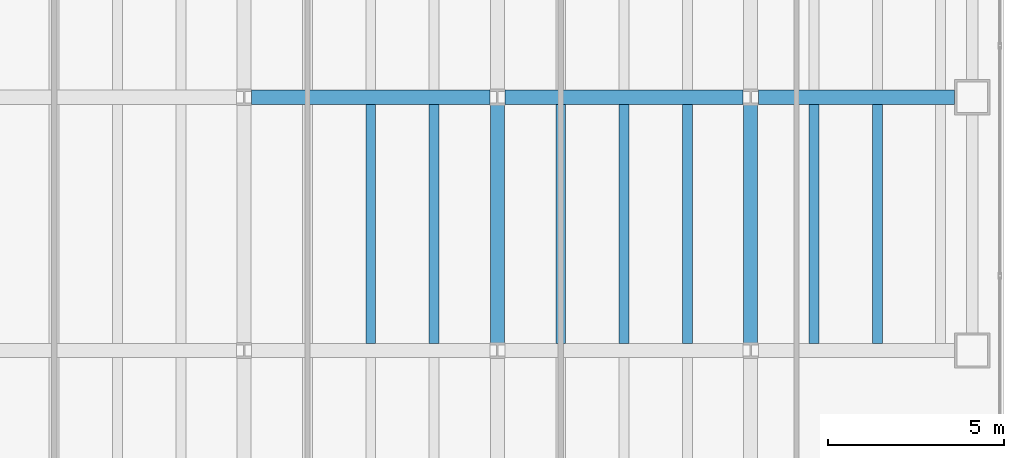
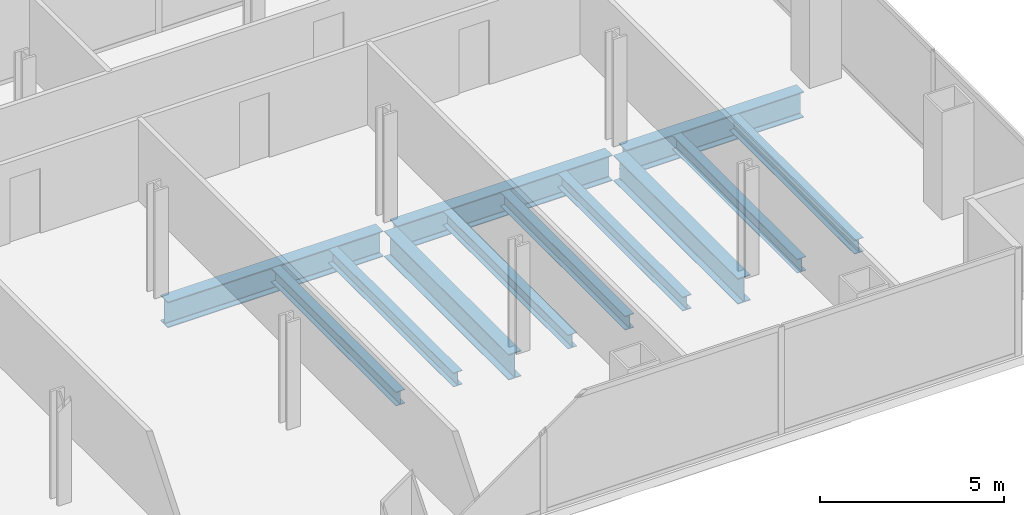
# One storey, part 9 of 23: 12 beams.
"""IFC4 building model written with IfcOpenShell, lengths in metres."""

from ifc_helpers import new_model, si_unit, direction, frame, origin, origin_2d, place, context, subcontext, project, spatial, i_section, extrude, material, material_profile, profile_set, type_object, element, save


model = new_model("IFC4")

# Units and contexts
model_context = context("Model", 3, precision=1e-05, world=origin(), true_north=direction((0.0, 1.0)))
body_context = subcontext(model_context, "Body", "Model", "MODEL_VIEW")
ifc_project = project(units=[si_unit("LENGTHUNIT", "METRE"), si_unit("AREAUNIT", "SQUARE_METRE"), si_unit("VOLUMEUNIT", "CUBIC_METRE"), si_unit("PLANEANGLEUNIT", "RADIAN"), si_unit("MASSUNIT", "GRAM", prefix="KILO")], contexts=[model_context])

# Site, building, storey
site_placement = place(None, origin())
site = spatial("IfcSite", under=ifc_project, at=site_placement, CompositionType="ELEMENT")
building_placement = place(site_placement, origin())
building = spatial("IfcBuilding", under=site, at=building_placement, Name="Cobrela Telecom Tower", CompositionType="ELEMENT")
storey_placement = place(building_placement, frame((0.0, 0.0, 54.25)))
storey = spatial("IfcBuildingStorey", under=building, at=storey_placement, Name="L13", CompositionType="ELEMENT", Elevation=54.25)

# Beams
ifc_material = material(Name="Steel ASTM A992 Grade 50", Category="steel")
ifc_material_profile_1 = material_profile(ifc_material, i_section(OverallWidth=0.39892578125, OverallDepth=0.85595703125, WebThickness=0.018310546875, FlangeThickness=0.029296875, FilletRadius=0.02001953125, at=origin_2d()), Name="W33X201")
ifc_profile_set_1 = profile_set([ifc_material_profile_1], Name="Steel ASTM A992 Grade 50")
beam_type_1 = type_object("IfcBeamType", Name="BM-GIRD-03", PredefinedType="USERDEFINED", material=ifc_profile_set_1)
for number, where, z_axis, x_axis, name in (
    (1, (29.01611328125, 14.39990234375, -0.7080078125), (1.0, 0.0, 0.0), (0.0, 1.0, 0.0), "L13 Primary Girder X15"),
    (2, (36.216064453125, 14.39990234375, -0.7080078125), (1.0, 0.0, 0.0), (0.0, 1.0, 0.0), "L13 Primary Girder X16"),
):
    element("IfcBeam", number, at=place(storey_placement, frame(where, z_axis=z_axis, x_axis=x_axis)), inside=storey, type_object=beam_type_1, Name=name, ObjectType="GIRDER", PredefinedType="USERDEFINED", context=body_context, shape_type="SweptSolid", body=[
        extrude(i_section(OverallWidth=0.39892578125, OverallDepth=0.85595703125, WebThickness=0.018310546875, FlangeThickness=0.029296875, FilletRadius=0.02001953125, at=origin_2d()), origin(), (0.0, 0.0, 1.0), 6.767822265625),
    ])
beam_placement = place(storey_placement, frame((43.416015625, 14.39990234375, -0.7080078125), z_axis=(1.0, 0.0, 0.0), x_axis=(0.0, 1.0, 0.0)))
element("IfcBeam", 3, at=beam_placement, inside=storey, type_object=beam_type_1, Name="L13 Primary Girder X17", ObjectType="GIRDER", PredefinedType="USERDEFINED", context=body_context, shape_type="SweptSolid", body=[
    extrude(i_section(OverallWidth=0.39892578125, OverallDepth=0.85595703125, WebThickness=0.018310546875, FlangeThickness=0.029296875, FilletRadius=0.02001953125, at=origin_2d()), origin(), (0.0, 0.0, 1.0), 5.5791015625),
])
for number, where, z_axis, x_axis, name in (
    (4, (36.0, 7.416015625, -0.7080078125), (0.0, 1.0, 0.0), (-1.0, 0.0, 0.0), "L13 Primary Girder Y51"),
    (5, (43.199951171875, 7.416015625, -0.7080078125), (0.0, 1.0, 0.0), (-1.0, 0.0, 0.0), "L13 Primary Girder Y54"),
):
    element("IfcBeam", number, at=place(storey_placement, frame(where, z_axis=z_axis, x_axis=x_axis)), inside=storey, type_object=beam_type_1, Name=name, ObjectType="GIRDER", PredefinedType="USERDEFINED", context=body_context, shape_type="SweptSolid", body=[
        extrude(i_section(OverallWidth=0.39892578125, OverallDepth=0.85595703125, WebThickness=0.018310546875, FlangeThickness=0.029296875, FilletRadius=0.02001953125, at=origin_2d()), origin(), (0.0, 0.0, 1.0), 6.76806640625),
    ])
ifc_material_profile_2 = material_profile(ifc_material, i_section(OverallWidth=0.281982421875, OverallDepth=0.467041015625, WebThickness=0.01220703125, FlangeThickness=0.01953125, FilletRadius=0.012939453125, at=origin_2d()), Name="W18X86")
ifc_profile_set_2 = profile_set([ifc_material_profile_2], Name="Steel ASTM A992 Grade 50")
beam_type_2 = type_object("IfcBeamType", Name="BM-JOIST-02", PredefinedType="JOIST", material=ifc_profile_set_2)
for number, where, z_axis, x_axis, name in (
    (6, (32.39990234375, 7.404541015625, -0.513427734375), (0.0, 1.0, 0.0), (-1.0, 0.0, 0.0), "L13 Secondary Composite Floor Beam J45"),
    (7, (34.199951171875, 7.404541015625, -0.513427734375), (0.0, 1.0, 0.0), (-1.0, 0.0, 0.0), "L13 Secondary Composite Floor Beam J48"),
    (8, (37.800048828125, 7.404541015625, -0.513427734375), (0.0, 1.0, 0.0), (-1.0, 0.0, 0.0), "L13 Secondary Composite Floor Beam J51"),
    (9, (39.60009765625, 7.404541015625, -0.513427734375), (0.0, 1.0, 0.0), (-1.0, 0.0, 0.0), "L13 Secondary Composite Floor Beam J54"),
    (10, (41.39990234375, 7.404541015625, -0.513427734375), (0.0, 1.0, 0.0), (-1.0, 0.0, 0.0), "L13 Secondary Composite Floor Beam J57"),
    (11, (45.0, 7.404541015625, -0.513427734375), (0.0, 1.0, 0.0), (-1.0, 0.0, 0.0), "L13 Secondary Composite Floor Beam J59"),
    (12, (46.800048828125, 7.404541015625, -0.513427734375), (0.0, 1.0, 0.0), (-1.0, 0.0, 0.0), "L13 Secondary Composite Floor Beam J61"),
):
    element("IfcBeam", number, at=place(storey_placement, frame(where, z_axis=z_axis, x_axis=x_axis)), inside=storey, type_object=beam_type_2, Name=name, PredefinedType="JOIST", context=body_context, shape_type="SweptSolid", body=[
        extrude(i_section(OverallWidth=0.281982421875, OverallDepth=0.467041015625, WebThickness=0.01220703125, FlangeThickness=0.01953125, FilletRadius=0.012939453125, at=origin_2d()), origin(), (0.0, 0.0, 1.0), 6.791015625),
    ])

save(model, "model.ifc")
